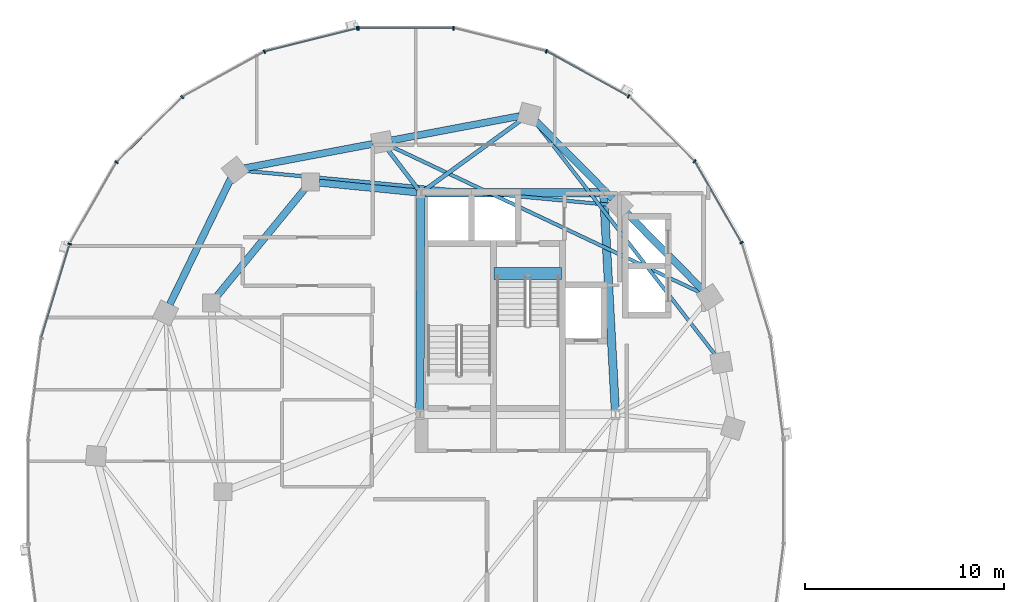
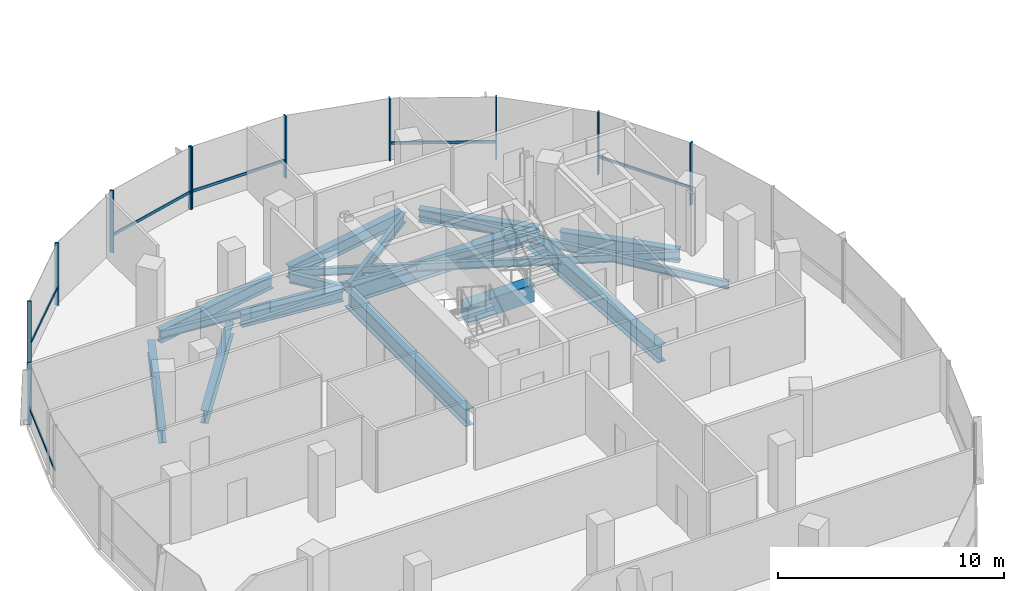
# One storey, part 5 of 23: 17 members, 16 beams, 2 elements without a shape of their own.
"""IFC4 building model written with IfcOpenShell, lengths in metres."""

from ifc_helpers import new_model, si_unit, direction, frame, origin, origin_2d, place, context, subcontext, project, spatial, rectangle, i_section, extrude, material, material_profile, profile_set, type_object, element, aggregate, save


model = new_model("IFC4")

# Units and contexts
model_context = context("Model", 3, precision=1e-05, world=origin(), true_north=direction((0.0, 1.0)))
body_context = subcontext(model_context, "Body", "Model", "MODEL_VIEW")
ifc_project = project(units=[si_unit("LENGTHUNIT", "METRE"), si_unit("AREAUNIT", "SQUARE_METRE"), si_unit("VOLUMEUNIT", "CUBIC_METRE"), si_unit("PLANEANGLEUNIT", "RADIAN"), si_unit("MASSUNIT", "GRAM", prefix="KILO"), si_unit("THERMODYNAMICTEMPERATUREUNIT", "KELVIN"), si_unit("POWERUNIT", "WATT")], contexts=[model_context])

# Site, building, storey
site_placement = place(None, origin())
site = spatial("IfcSite", under=ifc_project, at=site_placement, CompositionType="ELEMENT")
building_placement = place(site_placement, origin())
building = spatial("IfcBuilding", under=site, at=building_placement, Name="Cundina Bronze Exchange", CompositionType="ELEMENT")
storey_placement = place(building_placement, frame((0.0, 0.0, 172.800048828125)))
storey = spatial("IfcBuildingStorey", under=building, at=storey_placement, Name="L45", CompositionType="ELEMENT", Elevation=172.800048828125)

# Beams
ifc_material_1 = material(Name="Concrete C60/75", Category="concrete")
ifc_material_profile_1 = material_profile(ifc_material_1, rectangle(XDim=0.60009765625, YDim=0.949951171875, at=origin_2d()), Name="RC600X950", Category="concrete")
ifc_profile_set_1 = profile_set([ifc_material_profile_1], Name="Concrete C60/75")
beam_type_1 = type_object("IfcBeamType", Name="BM-COUP-RC950", PredefinedType="LINTEL", material=ifc_profile_set_1)
beam_1_placement = place(storey_placement, frame((-27.56005859375, 10.97998046875, -0.47509765625), z_axis=(1.0, 0.0, 0.0), x_axis=(0.0, 1.0, 0.0)))
element("IfcBeam", 1, at=beam_1_placement, inside=storey, type_object=beam_type_1, Name="L45 Stair W2 Landing Header Beam", PredefinedType="LINTEL", context=body_context, shape_type="SweptSolid", body=[
    extrude(rectangle(XDim=0.60009765625, YDim=0.949951171875, at=origin_2d()), origin(), (0.0, 0.0, 1.0), 3.400146484375),
])
ifc_material_2 = material(Name="Steel ASTM A992 Grade 50", Category="steel")
ifc_material_profile_2 = material_profile(ifc_material_2, i_section(OverallWidth=0.2119140625, OverallDepth=0.5439453125, WebThickness=0.01318359375, FlangeThickness=0.021240234375, FilletRadius=0.013916015625, at=origin_2d()), Name="W21X83", Category="steel")
ifc_profile_set_2 = profile_set([ifc_material_profile_2], Name="Steel ASTM A992 Grade 50")
beam_type_2 = type_object("IfcBeamType", Name="BM-FLR-W21A", PredefinedType="BEAM", material=ifc_profile_set_2)
beam_2_placement = place(storey_placement, frame((-31.084716796875, 15.169677734375, -0.511962890625), z_axis=(0.809693047063, 0.586853618492, 0.0), x_axis=(-0.586853618492, 0.809693047063, 0.0)))
element("IfcBeam", 2, at=beam_2_placement, inside=storey, type_object=beam_type_2, Name="L45 Leg W Radial Floor Beam 04", PredefinedType="BEAM", context=body_context, shape_type="SweptSolid", body=[
    extrude(i_section(OverallWidth=0.2119140625, OverallDepth=0.5439453125, WebThickness=0.01318359375, FlangeThickness=0.021240234375, FilletRadius=0.013916015625, at=origin_2d()), origin(), (0.0, 0.0, 1.0), 6.038818359375),
])
beam_3_placement = place(storey_placement, frame((-31.373779296875, 15.2119140625, -0.511962890625), z_axis=(-0.607450107571, 0.794357832977, 0.0), x_axis=(-0.794357832977, -0.607450107571, 0.0)))
element("IfcBeam", 3, at=beam_3_placement, inside=storey, type_object=beam_type_2, Name="L45 Leg W Radial Floor Beam 05", PredefinedType="BEAM", context=body_context, shape_type="SweptSolid", body=[
    extrude(i_section(OverallWidth=0.2119140625, OverallDepth=0.5439453125, WebThickness=0.01318359375, FlangeThickness=0.021240234375, FilletRadius=0.013916015625, at=origin_2d()), origin(), (0.0, 0.0, 1.0), 2.518310546875),
])
ifc_material_profile_3 = material_profile(ifc_material_2, i_section(OverallWidth=0.178955078125, OverallDepth=0.409912109375, WebThickness=0.0087890625, FlangeThickness=0.014404296875, FilletRadius=0.010986328125, at=origin_2d()), Name="W16X45", Category="steel")
ifc_profile_set_3 = profile_set([ifc_material_profile_3], Name="Steel ASTM A992 Grade 50")
beam_type_3 = type_object("IfcBeamType", Name="BM-JST-W16", PredefinedType="JOIST", material=ifc_profile_set_3)
beam_4_placement = place(storey_placement, frame((-16.423583984375, 6.885986328125, -0.445068359375), z_axis=(-0.61208354334, 0.790793105668, 0.0), x_axis=(-0.790793105668, -0.61208354334, 0.0)))
element("IfcBeam", 4, at=beam_4_placement, inside=storey, type_object=beam_type_3, Name="L45 Leg W Lobe Floor Joist 01-04", PredefinedType="JOIST", context=body_context, shape_type="SweptSolid", body=[
    extrude(i_section(OverallWidth=0.178955078125, OverallDepth=0.409912109375, WebThickness=0.0087890625, FlangeThickness=0.014404296875, FilletRadius=0.010986328125, at=origin_2d()), origin(), (0.0, 0.0, 1.0), 14.830810546875),
])
beam_5_placement = place(storey_placement, frame((-17.14111328125, 10.008544921875, -0.445068359375), z_axis=(-0.904074252188, 0.427375416385, 0.0), x_axis=(-0.427375416385, -0.904074252188, 0.0)))
element("IfcBeam", 5, at=beam_5_placement, inside=storey, type_object=beam_type_3, Name="L45 Leg W Lobe Floor Joist 02-05", PredefinedType="JOIST", context=body_context, shape_type="SweptSolid", body=[
    extrude(i_section(OverallWidth=0.178955078125, OverallDepth=0.409912109375, WebThickness=0.0087890625, FlangeThickness=0.014404296875, FilletRadius=0.010986328125, at=origin_2d()), origin(), (0.0, 0.0, 1.0), 17.274658203125),
])
beam_6_placement = place(storey_placement, frame((-21.73583984375, 14.4453125, -0.445068359375), z_axis=(-0.995701840093, 0.092616659595, 0.0), x_axis=(-0.092616659595, -0.995701840093, 0.0)))
element("IfcBeam", 6, at=beam_6_placement, inside=storey, type_object=beam_type_3, Name="L45 Leg W Lobe Floor Joist 03-06", PredefinedType="JOIST", context=body_context, shape_type="SweptSolid", body=[
    extrude(i_section(OverallWidth=0.178955078125, OverallDepth=0.409912109375, WebThickness=0.0087890625, FlangeThickness=0.014404296875, FilletRadius=0.010986328125, at=origin_2d()), origin(), (0.0, 0.0, 1.0), 18.45751953125),
])
ifc_material_profile_4 = material_profile(ifc_material_2, i_section(OverallWidth=0.35498046875, OverallDepth=0.695068359375, WebThickness=0.015380859375, FlangeThickness=0.02490234375, FilletRadius=0.01806640625, at=origin_2d()), Name="W27X146", Category="steel")
ifc_profile_set_4 = profile_set([ifc_material_profile_4], Name="Steel ASTM A992 Grade 50")
beam_type_4 = type_object("IfcBeamType", Name="BM-RING-W27", PredefinedType="USERDEFINED", material=ifc_profile_set_4)
beam_7_placement = place(storey_placement, frame((-31.452880859375, 15.070068359375, -0.587646484375), z_axis=(-0.995123020608, 0.098641643622, 0.0), x_axis=(-0.098641643622, -0.995123020608, 0.0)))
element("IfcBeam", 7, at=beam_7_placement, inside=storey, type_object=beam_type_4, Name="L45 W Inner Structural Ring Girder 01", ObjectType="GIRDER", PredefinedType="USERDEFINED", context=body_context, shape_type="SweptSolid", body=[
    extrude(i_section(OverallWidth=0.35498046875, OverallDepth=0.695068359375, WebThickness=0.015380859375, FlangeThickness=0.02490234375, FilletRadius=0.01806640625, at=origin_2d()), origin(), (0.0, 0.0, 1.0), 4.935302734375),
])
beam_8_placement = place(storey_placement, frame((-37.07763671875, 15.26123046875, -0.587646484375), z_axis=(-0.633912590175, -0.77340469873, 0.0), x_axis=(0.77340469873, -0.633912590175, 0.0)))
element("IfcBeam", 8, at=beam_8_placement, inside=storey, type_object=beam_type_4, Name="L45 W Inner Structural Ring Girder 02", ObjectType="GIRDER", PredefinedType="USERDEFINED", context=body_context, shape_type="SweptSolid", body=[
    extrude(i_section(OverallWidth=0.35498046875, OverallDepth=0.695068359375, WebThickness=0.015380859375, FlangeThickness=0.02490234375, FilletRadius=0.01806640625, at=origin_2d()), origin(), (0.0, 0.0, 1.0), 7.01123046875),
])
beam_9_placement = place(storey_placement, frame((-17.043212890625, 10.14697265625, -0.587646484375), z_axis=(-0.703230112979, 0.710962311378, 0.0), x_axis=(-0.710962311378, -0.703230112979, 0.0)))
element("IfcBeam", 9, at=beam_9_placement, inside=storey, type_object=beam_type_4, Name="L45 W Perimeter Ring Girder 02", ObjectType="GIRDER", PredefinedType="USERDEFINED", context=body_context, shape_type="SweptSolid", body=[
    extrude(i_section(OverallWidth=0.35498046875, OverallDepth=0.695068359375, WebThickness=0.015380859375, FlangeThickness=0.02490234375, FilletRadius=0.01806640625, at=origin_2d()), origin(), (0.0, 0.0, 1.0), 5.493896484375),
])
beam_10_placement = place(storey_placement, frame((-21.59326171875, 14.746826171875, -0.587646484375), z_axis=(-0.703207895705, 0.710984286337, 0.0), x_axis=(-0.710984286337, -0.703207895705, 0.0)))
element("IfcBeam", 10, at=beam_10_placement, inside=storey, type_object=beam_type_4, Name="L45 W Perimeter Ring Girder 03", ObjectType="GIRDER", PredefinedType="USERDEFINED", context=body_context, shape_type="SweptSolid", body=[
    extrude(i_section(OverallWidth=0.35498046875, OverallDepth=0.695068359375, WebThickness=0.015380859375, FlangeThickness=0.02490234375, FilletRadius=0.01806640625, at=origin_2d()), origin(), (0.0, 0.0, 1.0), 5.494140625),
])
beam_11_placement = place(storey_placement, frame((-26.279541015625, 18.9091796875, -0.587646484375), z_axis=(-0.982571532667, -0.185884865421, 0.0), x_axis=(0.185884865421, -0.982571532667, 0.0)))
element("IfcBeam", 11, at=beam_11_placement, inside=storey, type_object=beam_type_4, Name="L45 W Perimeter Ring Girder 04", ObjectType="GIRDER", PredefinedType="USERDEFINED", context=body_context, shape_type="SweptSolid", body=[
    extrude(i_section(OverallWidth=0.35498046875, OverallDepth=0.695068359375, WebThickness=0.015380859375, FlangeThickness=0.02490234375, FilletRadius=0.01806640625, at=origin_2d()), origin(), (0.0, 0.0, 1.0), 6.55517578125),
])
beam_12_placement = place(storey_placement, frame((-33.679443359375, 17.50927734375, -0.587646484375), z_axis=(-0.982572819495, -0.185878063226, 0.0), x_axis=(0.185878063226, -0.982572819495, 0.0)))
element("IfcBeam", 12, at=beam_12_placement, inside=storey, type_object=beam_type_4, Name="L45 W Perimeter Ring Girder 05", ObjectType="GIRDER", PredefinedType="USERDEFINED", context=body_context, shape_type="SweptSolid", body=[
    extrude(i_section(OverallWidth=0.35498046875, OverallDepth=0.695068359375, WebThickness=0.015380859375, FlangeThickness=0.02490234375, FilletRadius=0.01806640625, at=origin_2d()), origin(), (0.0, 0.0, 1.0), 6.555419921875),
])
beam_13_placement = place(storey_placement, frame((-40.8134765625, 15.760986328125, -0.587646484375), z_axis=(-0.437196998825, -0.89936576776, 0.0), x_axis=(0.89936576776, -0.437196998825, 0.0)))
element("IfcBeam", 13, at=beam_13_placement, inside=storey, type_object=beam_type_4, Name="L45 W Perimeter Ring Girder 06", ObjectType="GIRDER", PredefinedType="USERDEFINED", context=body_context, shape_type="SweptSolid", body=[
    extrude(i_section(OverallWidth=0.35498046875, OverallDepth=0.695068359375, WebThickness=0.015380859375, FlangeThickness=0.02490234375, FilletRadius=0.01806640625, at=origin_2d()), origin(), (0.0, 0.0, 1.0), 7.029541015625),
])
ifc_material_profile_5 = material_profile(ifc_material_2, i_section(OverallWidth=0.41796875, OverallDepth=0.927001953125, WebThickness=0.019287109375, FlangeThickness=0.031982421875, FilletRadius=0.02392578125, at=origin_2d()), Name="W36X231", Category="steel")
ifc_profile_set_5 = profile_set([ifc_material_profile_5], Name="Steel ASTM A992 Grade 50")
beam_type_5 = type_object("IfcBeamType", Name="BM-WRN-W36B", PredefinedType="USERDEFINED", material=ifc_profile_set_5)
beam_14_placement = place(storey_placement, frame((-21.4609375, 4.103759765625, -0.70361328125), z_axis=(-0.053739193498, 0.998555005537, 0.0), x_axis=(-0.998555005537, -0.053739193498, 0.0)))
element("IfcBeam", 14, at=beam_14_placement, inside=storey, type_object=beam_type_5, Name="L45 W Core Perimeter Tie Girder 2", ObjectType="GIRDER", PredefinedType="USERDEFINED", context=body_context, shape_type="SweptSolid", body=[
    extrude(i_section(OverallWidth=0.41796875, OverallDepth=0.927001953125, WebThickness=0.019287109375, FlangeThickness=0.031982421875, FilletRadius=0.02392578125, at=origin_2d()), origin(), (0.0, 0.0, 1.0), 10.758056640625),
])
beam_15_placement = place(storey_placement, frame((-22.25390625, 15.050048828125, -0.70361328125), z_axis=(-1.0, 0.0, 0.0), x_axis=(0.0, -1.0, 0.0)))
element("IfcBeam", 15, at=beam_15_placement, inside=storey, type_object=beam_type_5, Name="L45 W Core Perimeter Tie Girder 3", ObjectType="GIRDER", PredefinedType="USERDEFINED", context=body_context, shape_type="SweptSolid", body=[
    extrude(i_section(OverallWidth=0.41796875, OverallDepth=0.927001953125, WebThickness=0.019287109375, FlangeThickness=0.031982421875, FilletRadius=0.02392578125, at=origin_2d()), origin(), (0.0, 0.0, 1.0), 8.7919921875),
])
beam_16_placement = place(storey_placement, frame((-31.2509765625, 14.845947265625, -0.70361328125), z_axis=(-0.004477329608, -0.99998997671, 0.0), x_axis=(0.99998997671, -0.004477329608, 0.0)))
element("IfcBeam", 16, at=beam_16_placement, inside=storey, type_object=beam_type_5, Name="L45 W Core Perimeter Tie Girder 4", ObjectType="GIRDER", PredefinedType="USERDEFINED", context=body_context, shape_type="SweptSolid", body=[
    extrude(i_section(OverallWidth=0.41796875, OverallDepth=0.927001953125, WebThickness=0.019287109375, FlangeThickness=0.031982421875, FilletRadius=0.02392578125, at=origin_2d()), origin(), (0.0, 0.0, 1.0), 10.741943359375),
])

# Curtain wall, members
ifc_material_3 = material(Name="Anodised Bronze Aluminium 6063-T6", Category="aluminium")
curtain_wall_type = type_object("IfcCurtainWallType", Name="CWS-WST-PIN", PredefinedType="NOTDEFINED", material=ifc_material_3)
curtain_wall_1_placement = place(storey_placement, origin())
curtain_wall_1 = element("IfcCurtainWall", 17, at=curtain_wall_1_placement, inside=storey, type_object=curtain_wall_type, Name="L45 CW-04 Curtain Wall Run CWR-L45-W1", PredefinedType="NOTDEFINED")
ifc_material_profile_6 = material_profile(ifc_material_3, rectangle(XDim=0.070068359375, YDim=0.18994140625, at=origin_2d()), Name="AL70X190", Category="aluminium")
ifc_profile_set_6 = profile_set([ifc_material_profile_6], Name="Anodised Bronze Aluminium 6063-T6")
member_type_1 = type_object("IfcMemberType", Name="CWM-MUL-190", PredefinedType="MULLION", material=ifc_profile_set_6)
member_1_placement = place(storey_placement, frame((-15.10205078125, 12.541259765625, 0.0), z_axis=(0.0, 0.0, 1.0), x_axis=(-0.498487739754, 0.866896748936, 0.0)))
member_1 = element("IfcMember", 18, at=member_1_placement, type_object=member_type_1, Name="CW-04 Mullion 3", PredefinedType="MULLION", context=body_context, shape_type="SweptSolid", body=[
    extrude(rectangle(XDim=0.070068359375, YDim=0.18994140625, at=origin_2d()), origin(), (0.0, 0.0, 1.0), 3.35986328125),
])
member_2_placement = place(storey_placement, frame((-17.469482421875, 16.640380859375, 0.0), z_axis=(0.0, 0.0, 1.0), x_axis=(-0.712026045991, 0.702153052995, 0.0)))
member_2 = element("IfcMember", 19, at=member_2_placement, type_object=member_type_1, Name="CW-04 Mullion 4", PredefinedType="MULLION", context=body_context, shape_type="SweptSolid", body=[
    extrude(rectangle(XDim=0.070068359375, YDim=0.18994140625, at=origin_2d()), origin(), (0.0, 0.0, 1.0), 3.35986328125),
])
member_3_placement = place(storey_placement, frame((-20.79345703125, 19.906005859375, 0.0), z_axis=(0.0, 0.0, 1.0), x_axis=(-0.875885937035, 0.482518212408, 0.0)))
member_3 = element("IfcMember", 20, at=member_3_placement, type_object=member_type_1, Name="CW-04 Mullion 5", PredefinedType="MULLION", context=body_context, shape_type="SweptSolid", body=[
    extrude(rectangle(XDim=0.070068359375, YDim=0.18994140625, at=origin_2d()), origin(), (0.0, 0.0, 1.0), 3.35986328125),
])
member_4_placement = place(storey_placement, frame((-24.932373046875, 22.17626953125, 0.0), z_axis=(0.0, 0.0, 1.0), x_axis=(-0.970084240161, 0.242768546132, 0.0)))
member_4 = element("IfcMember", 21, at=member_4_placement, type_object=member_type_1, Name="CW-04 Mullion 6", PredefinedType="MULLION", context=body_context, shape_type="SweptSolid", body=[
    extrude(rectangle(XDim=0.070068359375, YDim=0.18994140625, at=origin_2d()), origin(), (0.0, 0.0, 1.0), 3.35986328125),
])
member_5_placement = place(storey_placement, frame((-29.60595703125, 23.3369140625, 0.0), z_axis=(0.0, 0.0, 1.0), x_axis=(-1.0, 0.0, 0.0)))
member_5 = element("IfcMember", 22, at=member_5_placement, type_object=member_type_1, Name="CW-04 Mullion 7", PredefinedType="MULLION", context=body_context, shape_type="SweptSolid", body=[
    extrude(rectangle(XDim=0.070068359375, YDim=0.18994140625, at=origin_2d()), origin(), (0.0, 0.0, 1.0), 3.35986328125),
])
member_6_placement = place(storey_placement, frame((-34.39404296875, 23.3369140625, 0.0), z_axis=(0.0, 0.0, 1.0), x_axis=(-1.0, 0.0, 0.0)))
member_6 = element("IfcMember", 23, at=member_6_placement, type_object=member_type_1, Name="CW-04 End Mullion", PredefinedType="MULLION", context=body_context, shape_type="SweptSolid", body=[
    extrude(rectangle(XDim=0.070068359375, YDim=0.18994140625, at=origin_2d()), origin(), (0.0, 0.0, 1.0), 3.35986328125),
])

curtain_wall_2_placement = place(storey_placement, origin())
curtain_wall_2 = element("IfcCurtainWall", 24, at=curtain_wall_2_placement, inside=storey, type_object=curtain_wall_type, Name="L45 CW-04 Curtain Wall Run CWR-L45-W2", PredefinedType="NOTDEFINED")
member_7_placement = place(storey_placement, frame((-34.462646484375, 23.32861328125, 0.0), z_axis=(0.0, 0.0, 1.0), x_axis=(-0.970084240161, -0.242768546132, 0.0)))
member_7 = element("IfcMember", 25, at=member_7_placement, type_object=member_type_1, Name="CW-04 Mullion 1", PredefinedType="MULLION", context=body_context, shape_type="SweptSolid", body=[
    extrude(rectangle(XDim=0.070068359375, YDim=0.18994140625, at=origin_2d()), origin(), (0.0, 0.0, 1.0), 3.35986328125),
])
member_8_placement = place(storey_placement, frame((-39.13037109375, 22.151611328125, 0.0), z_axis=(0.0, 0.0, 1.0), x_axis=(-0.875885937035, -0.482518212408, 0.0)))
member_8 = element("IfcMember", 26, at=member_8_placement, type_object=member_type_1, Name="CW-04 Mullion 2", PredefinedType="MULLION", context=body_context, shape_type="SweptSolid", body=[
    extrude(rectangle(XDim=0.070068359375, YDim=0.18994140625, at=origin_2d()), origin(), (0.0, 0.0, 1.0), 3.35986328125),
])
member_9_placement = place(storey_placement, frame((-43.259033203125, 19.86669921875, 0.0), z_axis=(0.0, 0.0, 1.0), x_axis=(-0.712026045991, -0.702153052995, 0.0)))
member_9 = element("IfcMember", 27, at=member_9_placement, type_object=member_type_1, Name="CW-04 Mullion 3", PredefinedType="MULLION", context=body_context, shape_type="SweptSolid", body=[
    extrude(rectangle(XDim=0.070068359375, YDim=0.18994140625, at=origin_2d()), origin(), (0.0, 0.0, 1.0), 3.35986328125),
])
member_10_placement = place(storey_placement, frame((-46.57080078125, 16.588134765625, 0.0), z_axis=(0.0, 0.0, 1.0), x_axis=(-0.498487739754, -0.866896748936, 0.0)))
member_10 = element("IfcMember", 28, at=member_10_placement, type_object=member_type_1, Name="CW-04 Mullion 4", PredefinedType="MULLION", context=body_context, shape_type="SweptSolid", body=[
    extrude(rectangle(XDim=0.070068359375, YDim=0.18994140625, at=origin_2d()), origin(), (0.0, 0.0, 1.0), 3.35986328125),
])
member_11_placement = place(storey_placement, frame((-48.92626953125, 12.4755859375, 0.0), z_axis=(0.0, 0.0, 1.0), x_axis=(-0.290034140915, -0.957016299288, 0.0)))
member_11 = element("IfcMember", 29, at=member_11_placement, type_object=member_type_1, Name="CW-04 Mullion 5", PredefinedType="MULLION", context=body_context, shape_type="SweptSolid", body=[
    extrude(rectangle(XDim=0.070068359375, YDim=0.18994140625, at=origin_2d()), origin(), (0.0, 0.0, 1.0), 3.35986328125),
])

# Member
ifc_material_profile_7 = material_profile(ifc_material_3, rectangle(XDim=0.06494140625, YDim=0.14990234375, at=origin_2d()), Name="AL65X150", Category="aluminium")
ifc_profile_set_7 = profile_set([ifc_material_profile_7], Name="Anodised Bronze Aluminium 6063-T6")
member_type_2 = type_object("IfcMemberType", Name="CWM-TRN-150", PredefinedType="USERDEFINED", material=ifc_profile_set_7)
member_12_placement = place(storey_placement, frame((-15.121337890625, 12.574462890625, 0.919921875), z_axis=(-0.498479967047, 0.866901218394, 0.0), x_axis=(-0.866901218394, -0.498479967047, 0.0)))
member_12 = element("IfcMember", 30, at=member_12_placement, type_object=member_type_2, Name="CW-04 Spandrel Transom 3", ObjectType="TRANSOM", PredefinedType="USERDEFINED", context=body_context, shape_type="SweptSolid", body=[
    extrude(rectangle(XDim=0.06494140625, YDim=0.14990234375, at=origin_2d()), origin(), (0.0, 0.0, 1.0), 4.66845703125),
])

member_13_placement = place(storey_placement, frame((-20.8271484375, 19.924560546875, 0.919921875), z_axis=(-0.875878981549, 0.482530838062, 0.0), x_axis=(-0.482530838062, -0.875878981549, 0.0)))
member_13 = element("IfcMember", 31, at=member_13_placement, type_object=member_type_2, Name="CW-04 Spandrel Transom 5", ObjectType="TRANSOM", PredefinedType="USERDEFINED", context=body_context, shape_type="SweptSolid", body=[
    extrude(rectangle(XDim=0.06494140625, YDim=0.14990234375, at=origin_2d()), origin(), (0.0, 0.0, 1.0), 4.65380859375),
])

member_14_placement = place(storey_placement, frame((-29.64453125, 23.3369140625, 0.919921875), z_axis=(-1.0, 0.0, 0.0), x_axis=(0.0, -1.0, 0.0)))
member_14 = element("IfcMember", 32, at=member_14_placement, type_object=member_type_2, Name="CW-04 Spandrel Transom 7", ObjectType="TRANSOM", PredefinedType="USERDEFINED", context=body_context, shape_type="SweptSolid", body=[
    extrude(rectangle(XDim=0.06494140625, YDim=0.14990234375, at=origin_2d()), origin(), (0.0, 0.0, 1.0), 4.7109375),
])

aggregate(curtain_wall_1, [member_1, member_12, member_2, member_3, member_13, member_4, member_5, member_6, member_14])

member_15_placement = place(storey_placement, frame((-34.5, 23.319091796875, 0.919921875), z_axis=(-0.970100130035, -0.242705042606, 0.0), x_axis=(0.242705042606, -0.970100130035, 0.0)))
member_15 = element("IfcMember", 33, at=member_15_placement, type_object=member_type_2, Name="CW-04 Spandrel Transom 1", ObjectType="TRANSOM", PredefinedType="USERDEFINED", context=body_context, shape_type="SweptSolid", body=[
    extrude(rectangle(XDim=0.06494140625, YDim=0.14990234375, at=origin_2d()), origin(), (0.0, 0.0, 1.0), 4.746826171875),
])

member_16_placement = place(storey_placement, frame((-43.28662109375, 19.839599609375, 0.919921875), z_axis=(-0.712005023839, -0.702174370102, 0.0), x_axis=(0.702174370102, -0.712005023839, 0.0)))
member_16 = element("IfcMember", 34, at=member_16_placement, type_object=member_type_2, Name="CW-04 Spandrel Transom 3", ObjectType="TRANSOM", PredefinedType="USERDEFINED", context=body_context, shape_type="SweptSolid", body=[
    extrude(rectangle(XDim=0.06494140625, YDim=0.14990234375, at=origin_2d()), origin(), (0.0, 0.0, 1.0), 4.594482421875),
])

member_17_placement = place(storey_placement, frame((-48.937255859375, 12.43896484375, 0.919921875), z_axis=(-0.290051855969, -0.957010930371, 0.0), x_axis=(0.957010930371, -0.290051855969, 0.0)))
member_17 = element("IfcMember", 35, at=member_17_placement, type_object=member_type_2, Name="CW-04 Spandrel Transom 5", ObjectType="TRANSOM", PredefinedType="USERDEFINED", context=body_context, shape_type="SweptSolid", body=[
    extrude(rectangle(XDim=0.06494140625, YDim=0.14990234375, at=origin_2d()), origin(), (0.0, 0.0, 1.0), 4.876953125),
])

aggregate(curtain_wall_2, [member_7, member_15, member_8, member_9, member_16, member_10, member_11, member_17])

save(model, "model.ifc")
